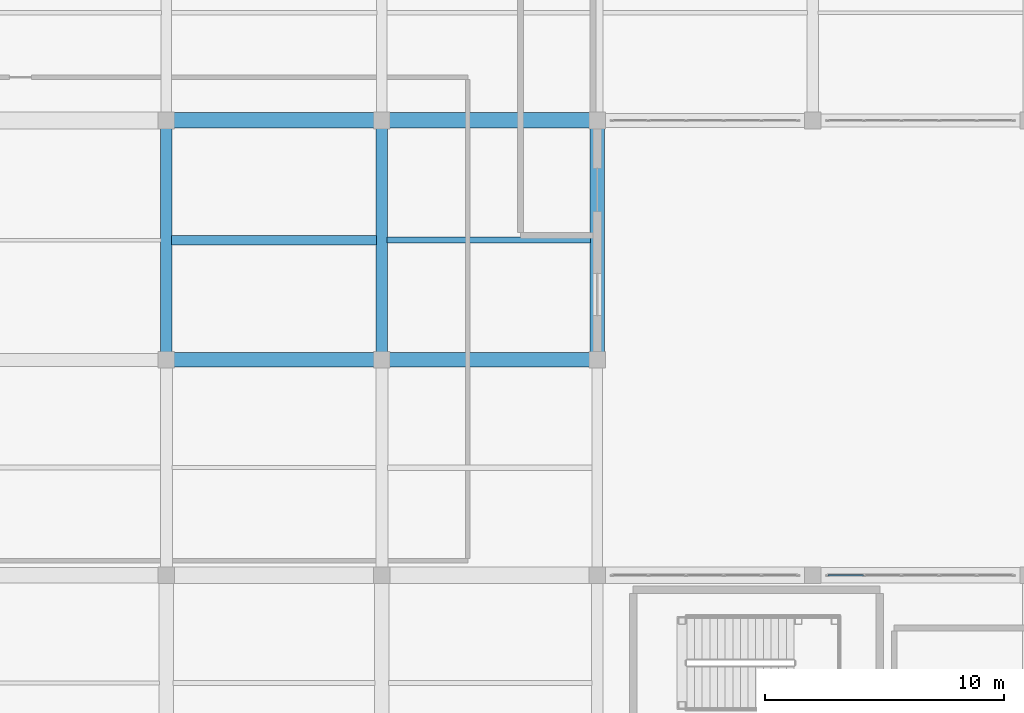
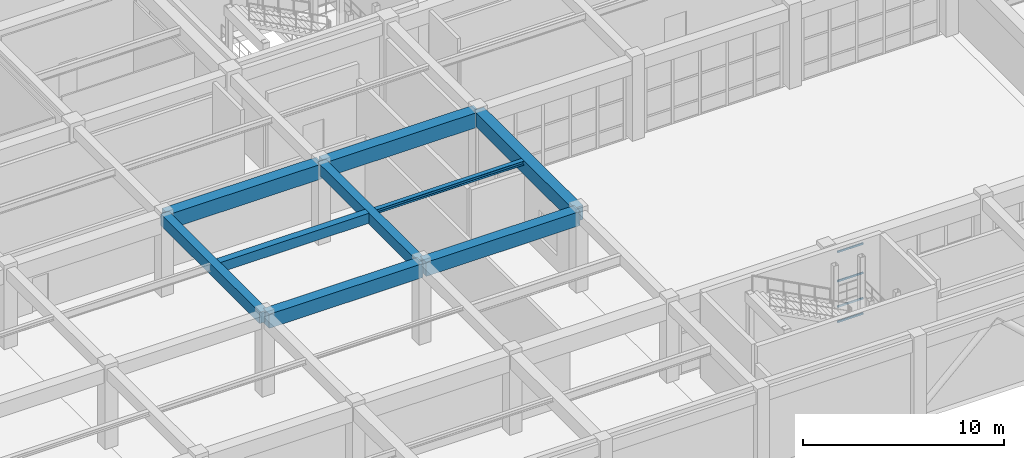
# One storey, part 44 of 128: 9 beams, 4 members, 1 element without a shape of its own.
"""IFC4 building model written with IfcOpenShell, lengths in metres."""

import ifcopenshell
import ifcopenshell.guid

model = None  # the IFC model being written
_history = None  # IfcOwnerHistory: only IFC2X3 demands one
_inside = {}  # id of a spatial element -> (the spatial element, [elements in it])
_under = {}  # id of a project, library or spatial element -> (it, [spatial elements below it])
_declared = {}  # id of a project -> (the project, [libraries it declares])
_typed = {}  # id of a type object -> (the type object, [elements of that type])
_made_of = {}  # id of a material, layer set ... -> (it, [elements and type objects made of it])


def new_model(schema):
    """Start an empty IFC model of exactly this schema.

    Asked for "IFC4X3", IfcOpenShell would pick the latest addendum, in which some entities
    have other attributes; the version numbers below select the first issue.
    IFC2X3 requires an IfcOwnerHistory on every rooted entity: one is made here for all.
    """
    global model, _history
    if schema == "IFC4X3":
        model = ifcopenshell.file(schema_version=(4, 3, 0, 0))
    else:
        model = ifcopenshell.file(schema=schema)
    _inside.clear()
    _under.clear()
    _declared.clear()
    _typed.clear()
    _made_of.clear()
    _history = None
    if model.schema == "IFC2X3":
        org = make("IfcOrganization", Name="unknown")
        user = make(
            "IfcPersonAndOrganization",
            ThePerson=make("IfcPerson", FamilyName="unknown"),
            TheOrganization=org,
        )
        app = make(
            "IfcApplication",
            ApplicationDeveloper=org,
            Version="unknown",
            ApplicationFullName="unknown",
            ApplicationIdentifier="unknown",
        )
        _history = make(
            "IfcOwnerHistory",
            OwningUser=user,
            OwningApplication=app,
            ChangeAction="ADDED",
            CreationDate=0,
        )
    return model


def make(cls, **values):
    """One entity of the class cls with the attributes given. An attribute that is None is left unset."""
    return model.create_entity(
        cls, **{name: value for name, value in values.items() if value is not None}
    )


def rooted(cls, **values):
    """An entity with a GlobalId (a new one), such as an element, a storey or a relation."""
    return make(cls, GlobalId=ifcopenshell.guid.new(), OwnerHistory=_history, **values)


def si_unit(unit_type, name, prefix=None):
    """IfcSIUnit, for example si_unit("LENGTHUNIT", "METRE", prefix="MILLI")."""
    return make("IfcSIUnit", UnitType=unit_type, Prefix=prefix, Name=name)


def assignment(units):
    """IfcUnitAssignment: the units of a project."""
    return None if units is None else make("IfcUnitAssignment", Units=units)


def point(xyz):
    """IfcCartesianPoint."""
    return None if xyz is None else make("IfcCartesianPoint", Coordinates=xyz)


def direction(xyz):
    """IfcDirection."""
    return None if xyz is None else make("IfcDirection", DirectionRatios=xyz)


def frame(location, z_axis=None, x_axis=None):
    """IfcAxis2Placement3D, a coordinate frame: its origin and axes. An axis left out is left unset."""
    return make(
        "IfcAxis2Placement3D",
        Location=point(location),
        Axis=direction(z_axis),
        RefDirection=direction(x_axis),
    )


def frame_2d(location, x_axis=None):
    """IfcAxis2Placement2D, a coordinate frame in the plane: its origin and x axis."""
    return make(
        "IfcAxis2Placement2D", Location=point(location), RefDirection=direction(x_axis)
    )


def origin():
    """The frame at (0, 0, 0) with its axes left unset."""
    return frame((0.0, 0.0, 0.0))


def origin_2d():
    """The frame at (0, 0) in the plane with its x axis left unset."""
    return frame_2d((0.0, 0.0))


def place(relative_to, where):
    """IfcLocalPlacement: puts the frame where relative to a parent placement (None: the world)."""
    return make(
        "IfcLocalPlacement", PlacementRelTo=relative_to, RelativePlacement=where
    )


def context(
    kind, dimensions, precision=None, world=None, true_north=None, identifier=None
):
    """IfcGeometricRepresentationContext, for example the 3D "Model" context."""
    return make(
        "IfcGeometricRepresentationContext",
        ContextIdentifier=identifier,
        ContextType=kind,
        CoordinateSpaceDimension=dimensions,
        Precision=precision,
        WorldCoordinateSystem=world,
        TrueNorth=true_north,
    )


def subcontext(parent, identifier, kind, view, scale=None):
    """IfcGeometricRepresentationSubContext, for example "Body" below "Model"."""
    return make(
        "IfcGeometricRepresentationSubContext",
        ContextIdentifier=identifier,
        ContextType=kind,
        ParentContext=parent,
        TargetScale=scale,
        TargetView=view,
    )


def project(units=None, contexts=None):
    """IfcProject with its units and contexts."""
    return rooted(
        "IfcProject",
        Name="project",
        RepresentationContexts=contexts,
        UnitsInContext=assignment(units),
    )


def spatial(cls, under=None, at=None, **own):
    """A site, building, storey or space (cls), placed at a placement, below another one or the project."""
    s = rooted(cls, ObjectPlacement=at, **own)
    if under is not None:
        _under.setdefault(under.id(), (under, []))[1].append(s)
    return s


def profile(cls, at=None, kind="AREA", **sizes):
    """A parametric profile (cls). Its sizes go by their IFC names, for example OverallWidth=200.0."""
    return make(cls, ProfileType=kind, Position=at, **sizes)


def rectangle(**sizes):
    """IfcRectangleProfileDef."""
    return profile("IfcRectangleProfileDef", **sizes)


def hollow_rectangle(**sizes):
    """IfcRectangleHollowProfileDef."""
    return profile("IfcRectangleHollowProfileDef", **sizes)


def i_section(**sizes):
    """IfcIShapeProfileDef."""
    return profile("IfcIShapeProfileDef", **sizes)


def extrude(swept, where, along, depth):
    """IfcExtrudedAreaSolid: the profile swept, set in the frame where, extruded along a direction by depth."""
    return make(
        "IfcExtrudedAreaSolid",
        SweptArea=swept,
        Position=where,
        ExtrudedDirection=direction(along),
        Depth=depth,
    )


def shape(context_of_items, identifier, shape_type, items):
    """IfcShapeRepresentation: the items that make up one representation, for example the "Body"."""
    return make(
        "IfcShapeRepresentation",
        ContextOfItems=context_of_items,
        RepresentationIdentifier=identifier,
        RepresentationType=shape_type,
        Items=items,
    )


def material(Name=None, Category=None):
    """IfcMaterial."""
    return make("IfcMaterial", Name=Name, Category=Category)


def material_profile(
    of_material, cross_section, Name=None, Category=None, Priority=None
):
    """IfcMaterialProfile: a cross section and its material."""
    return make(
        "IfcMaterialProfile",
        Name=Name,
        Material=of_material,
        Profile=cross_section,
        Priority=Priority,
        Category=Category,
    )


def profile_set(profiles, Name=None, composite=None):
    """IfcMaterialProfileSet."""
    return make(
        "IfcMaterialProfileSet",
        Name=Name,
        MaterialProfiles=profiles,
        CompositeProfile=composite,
    )


def made_of(thing, what):
    """Note that an element or type object is made of a material, layer set ...; save() writes the relation."""
    if what is not None:
        _made_of.setdefault(what.id(), (what, []))[1].append(thing)
    return thing


def type_object(cls, material=None, **own):
    """A type object (cls), such as IfcWallType, which elements share."""
    return made_of(rooted(cls, **own), material)


def element(
    cls,
    number,
    at=None,
    inside=None,
    cuts=None,
    type_object=None,
    material=None,
    context=None,
    identifier="Body",
    shape_type=None,
    held_by="IfcProductDefinitionShape",
    body=None,
    shapes=None,
    **own,
):
    """One element of the class cls, such as IfcWall. Its Tag is "e" and its number.

    at: its placement. inside: the storey or other place that contains it. cuts: it is an
    opening in that element (IfcRelVoidsElement). A single representation is given by context,
    identifier, shape_type and body (its items); several are given by shapes. held_by: the class
    of the entity that holds the representations. save() writes the other relations.
    """
    e = rooted(cls, Tag="e%d" % number, ObjectPlacement=at, **own)
    if body is not None:
        shapes = [shape(context, identifier, shape_type, body)]
    if shapes is not None:
        e.Representation = make(held_by, Representations=shapes)
    if inside is not None:
        _inside.setdefault(inside.id(), (inside, []))[1].append(e)
    if cuts is not None:
        rooted(
            "IfcRelVoidsElement", RelatingBuildingElement=cuts, RelatedOpeningElement=e
        )
    if type_object is not None:
        _typed.setdefault(type_object.id(), (type_object, []))[1].append(e)
    return made_of(e, material)


def aggregate(whole, parts):
    """IfcRelAggregates: a whole, such as a stair, and the parts it consists of."""
    return rooted("IfcRelAggregates", RelatingObject=whole, RelatedObjects=parts)


def save(model, path):
    """Write the relations noted so far, then the file.

    IfcRelAggregates (storeys below a building ...), IfcRelContainedInSpatialStructure (elements
    in a storey), IfcRelDefinesByType, IfcRelAssociatesMaterial and IfcRelDeclares: one each for
    every whole, place, type object, material and project.
    """
    for whole, parts in _under.values():
        aggregate(whole, parts)
    for where, things in _inside.values():
        rooted(
            "IfcRelContainedInSpatialStructure",
            RelatedElements=things,
            RelatingStructure=where,
        )
    for kind, things in _typed.values():
        rooted("IfcRelDefinesByType", RelatedObjects=things, RelatingType=kind)
    for what, things in _made_of.values():
        rooted("IfcRelAssociatesMaterial", RelatedObjects=things, RelatingMaterial=what)
    for by, libraries in _declared.values():
        rooted("IfcRelDeclares", RelatingContext=by, RelatedDefinitions=libraries)
    model.write(path)


model = new_model("IFC4")

# Units and contexts
model_context = context("Model", 3, precision=1e-05, world=origin(), true_north=direction((0.0, 1.0)))
body_context = subcontext(model_context, "Body", "Model", "MODEL_VIEW")
ifc_project = project(units=[si_unit("LENGTHUNIT", "METRE"), si_unit("AREAUNIT", "SQUARE_METRE"), si_unit("VOLUMEUNIT", "CUBIC_METRE"), si_unit("PLANEANGLEUNIT", "RADIAN"), si_unit("MASSUNIT", "GRAM", prefix="KILO")], contexts=[model_context])

# Site, building, storey
site_placement = place(None, origin())
site = spatial("IfcSite", under=ifc_project, at=site_placement, CompositionType="ELEMENT")
building_placement = place(site_placement, origin())
building = spatial("IfcBuilding", under=site, at=building_placement, Name="Miravela Opera House", CompositionType="ELEMENT")
storey_placement = place(building_placement, origin())
storey = spatial("IfcBuildingStorey", under=building, at=storey_placement, Name="L00", CompositionType="ELEMENT", Elevation=0.0)

# Curtain wall, members
ifc_material_1 = material(Name="Anodised architectural bronze aluminium 6063-T6", Category="aluminium")
curtain_wall_type = type_object("IfcCurtainWallType", Name="ARC-CW-06", PredefinedType="NOTDEFINED", material=ifc_material_1)
curtain_wall_placement = place(storey_placement, origin())
curtain_wall = element("IfcCurtainWall", 1, at=curtain_wall_placement, inside=storey, type_object=curtain_wall_type, Name="Courtyard Arcade Curtain Wall CW-L00-163", PredefinedType="NOTDEFINED")
ifc_material_profile_1 = material_profile(ifc_material_1, hollow_rectangle(XDim=0.06005859375, YDim=0.114990234375, WallThickness=0.00390625, InnerFilletRadius=0.001953125, OuterFilletRadius=0.00390625, at=origin_2d()), Name="CWT-60X115")
ifc_profile_set_1 = profile_set([ifc_material_profile_1])
member_type = type_object("IfcMemberType", Name="ARC-CWT-115", PredefinedType="USERDEFINED", material=ifc_profile_set_1)
member_1_placement = place(storey_placement, frame((126.639892578125, 9.0, 0.030029296875), z_axis=(1.0, 0.0, 0.0), x_axis=(0.0, 1.0, 0.0)))
member_1 = element("IfcMember", 2, at=member_1_placement, type_object=member_type, Name="CW-06 transom 1.1", ObjectType="TRANSOM", PredefinedType="USERDEFINED", context=body_context, shape_type="SweptSolid", body=[
    extrude(hollow_rectangle(XDim=0.06005859375, YDim=0.114990234375, WallThickness=0.00390625, InnerFilletRadius=0.001953125, OuterFilletRadius=0.00390625, at=origin_2d()), origin(), (0.0, 0.0, 1.0), 1.47802734375),
])
member_2_placement = place(storey_placement, frame((126.639892578125, 9.0, 0.949951171875), z_axis=(1.0, 0.0, 0.0), x_axis=(0.0, 1.0, 0.0)))
member_2 = element("IfcMember", 3, at=member_2_placement, type_object=member_type, Name="CW-06 transom 1.2", ObjectType="TRANSOM", PredefinedType="USERDEFINED", context=body_context, shape_type="SweptSolid", body=[
    extrude(hollow_rectangle(XDim=0.06005859375, YDim=0.114990234375, WallThickness=0.00390625, InnerFilletRadius=0.001953125, OuterFilletRadius=0.00390625, at=origin_2d()), origin(), (0.0, 0.0, 1.0), 1.47802734375),
])
member_3_placement = place(storey_placement, frame((126.639892578125, 9.0, 2.493896484375), z_axis=(1.0, 0.0, 0.0), x_axis=(0.0, 1.0, 0.0)))
member_3 = element("IfcMember", 4, at=member_3_placement, type_object=member_type, Name="CW-06 transom 1.3", ObjectType="TRANSOM", PredefinedType="USERDEFINED", context=body_context, shape_type="SweptSolid", body=[
    extrude(hollow_rectangle(XDim=0.06005859375, YDim=0.114990234375, WallThickness=0.00390625, InnerFilletRadius=0.001953125, OuterFilletRadius=0.00390625, at=origin_2d()), origin(), (0.0, 0.0, 1.0), 1.47802734375),
])
member_4_placement = place(storey_placement, frame((126.639892578125, 9.0, 4.27001953125), z_axis=(1.0, 0.0, 0.0), x_axis=(0.0, 1.0, 0.0)))
member_4 = element("IfcMember", 5, at=member_4_placement, type_object=member_type, Name="CW-06 transom 1.4", ObjectType="TRANSOM", PredefinedType="USERDEFINED", context=body_context, shape_type="SweptSolid", body=[
    extrude(hollow_rectangle(XDim=0.06005859375, YDim=0.114990234375, WallThickness=0.00390625, InnerFilletRadius=0.001953125, OuterFilletRadius=0.00390625, at=origin_2d()), origin(), (0.0, 0.0, 1.0), 1.47802734375),
])
aggregate(curtain_wall, [member_1, member_2, member_3, member_4])

# Beams
ifc_material_2 = material(Name="Concrete C35/45", Category="concrete")
ifc_material_profile_2 = material_profile(ifc_material_2, rectangle(XDim=0.39990234375, YDim=0.60009765625, at=origin_2d()), Name="RC-BM-400X600")
ifc_profile_set_2 = profile_set([ifc_material_profile_2])
beam_type_1 = type_object("IfcBeamType", Name="STR-BM-RC400X600", PredefinedType="JOIST", material=ifc_profile_set_2)
beam_1_placement = place(storey_placement, frame((99.22509765625, 23.0, 4.550048828125), z_axis=(1.0, 0.0, 0.0), x_axis=(0.0, 1.0, 0.0)))
element("IfcBeam", 6, at=beam_1_placement, inside=storey, type_object=beam_type_1, Name="Secondary Floor Joist L00 12-13/C-D", PredefinedType="JOIST", context=body_context, shape_type="SweptSolid", body=[
    extrude(rectangle(XDim=0.39990234375, YDim=0.60009765625, at=origin_2d()), origin(), (0.0, 0.0, 1.0), 8.5498046875),
])
ifc_material_profile_3 = material_profile(ifc_material_2, rectangle(XDim=0.47998046875, YDim=0.679931640625, at=origin_2d()), Name="RC-BM-480X680")
ifc_profile_set_3 = profile_set([ifc_material_profile_3])
beam_type_2 = type_object("IfcBeamType", Name="STR-BM-RC480X680", PredefinedType="BEAM", material=ifc_profile_set_3)
for number, where, z_axis, x_axis, name in (
    (7, (99.0, 18.080078125, 4.510009765625), (0.0, 1.0, 0.0), (-1.0, 0.0, 0.0), "Floor Girder L00 12/C-D"),
    (8, (108.0, 18.080078125, 4.510009765625), (0.0, 1.0, 0.0), (-1.0, 0.0, 0.0), "Floor Girder L00 13/C-D"),
):
    element("IfcBeam", number, at=place(storey_placement, frame(where, z_axis=z_axis, x_axis=x_axis)), inside=storey, type_object=beam_type_2, Name=name, PredefinedType="BEAM", context=body_context, shape_type="SweptSolid", body=[
        extrude(rectangle(XDim=0.47998046875, YDim=0.679931640625, at=origin_2d()), origin(), (0.0, 0.0, 1.0), 9.83984375),
    ])
ifc_material_3 = material(Name="Concrete C40/50", Category="concrete")
ifc_material_profile_4 = material_profile(ifc_material_3, rectangle(XDim=0.60009765625, YDim=0.85009765625, at=origin_2d()), Name="RC-BM-600X850")
ifc_profile_set_4 = profile_set([ifc_material_profile_4])
beam_type_3 = type_object("IfcBeamType", Name="STR-BM-RC600X850", PredefinedType="BEAM", material=ifc_profile_set_4)
for number, where, z_axis, x_axis, name in (
    (9, (99.080078125, 18.0, 4.425048828125), (1.0, 0.0, 0.0), (0.0, 1.0, 0.0), "Floor Girder L00 12-13/C"),
    (10, (108.080078125, 18.0, 4.425048828125), (1.0, 0.0, 0.0), (0.0, 1.0, 0.0), "Floor Girder L00 13-14/C"),
):
    element("IfcBeam", number, at=place(storey_placement, frame(where, z_axis=z_axis, x_axis=x_axis)), inside=storey, type_object=beam_type_3, Name=name, PredefinedType="BEAM", context=body_context, shape_type="SweptSolid", body=[
        extrude(rectangle(XDim=0.60009765625, YDim=0.85009765625, at=origin_2d()), origin(), (0.0, 0.0, 1.0), 8.83984375),
    ])
beam_2_placement = place(storey_placement, frame((117.0, 18.080078125, 4.425048828125), z_axis=(0.0, 1.0, 0.0), x_axis=(-1.0, 0.0, 0.0)))
element("IfcBeam", 11, at=beam_2_placement, inside=storey, type_object=beam_type_3, Name="Floor Girder L00 14/C-D", PredefinedType="BEAM", context=body_context, shape_type="SweptSolid", body=[
    extrude(rectangle(XDim=0.60009765625, YDim=0.85009765625, at=origin_2d()), origin(), (0.0, 0.0, 1.0), 9.83984375),
])
ifc_material_profile_5 = material_profile(ifc_material_3, rectangle(XDim=0.64990234375, YDim=0.89990234375, at=origin_2d()), Name="RC-BM-650X900")
ifc_profile_set_5 = profile_set([ifc_material_profile_5])
beam_type_4 = type_object("IfcBeamType", Name="STR-BM-RC650X900", PredefinedType="BEAM", material=ifc_profile_set_5)
for number, where, z_axis, x_axis, name in (
    (12, (99.080078125, 28.0, 4.39990234375), (1.0, 0.0, 0.0), (0.0, 1.0, 0.0), "Floor Girder L00 12-13/D"),
    (13, (108.080078125, 28.0, 4.39990234375), (1.0, 0.0, 0.0), (0.0, 1.0, 0.0), "Floor Girder L00 13-14/D"),
):
    element("IfcBeam", number, at=place(storey_placement, frame(where, z_axis=z_axis, x_axis=x_axis)), inside=storey, type_object=beam_type_4, Name=name, PredefinedType="BEAM", context=body_context, shape_type="SweptSolid", body=[
        extrude(rectangle(XDim=0.64990234375, YDim=0.89990234375, at=origin_2d()), origin(), (0.0, 0.0, 1.0), 8.83984375),
    ])
ifc_material_4 = material(Name="Structural steel ASTM A992 Gr. 50", Category="steel")
ifc_material_profile_6 = material_profile(ifc_material_4, i_section(OverallWidth=0.25390625, OverallDepth=0.2529296875, WebThickness=0.008544921875, FlangeThickness=0.01416015625, FilletRadius=0.011962890625, at=origin_2d()), Name="W250X73")
ifc_profile_set_6 = profile_set([ifc_material_profile_6])
beam_type_5 = type_object("IfcBeamType", Name="STR-BM-W250X73", PredefinedType="JOIST", material=ifc_profile_set_6)
beam_3_placement = place(storey_placement, frame((108.22509765625, 23.0, 4.723388671875), z_axis=(1.0, 0.0, 0.0), x_axis=(0.0, 1.0, 0.0)))
element("IfcBeam", 14, at=beam_3_placement, inside=storey, type_object=beam_type_5, Name="Secondary Floor Joist L00 13-14/C-D", PredefinedType="JOIST", context=body_context, shape_type="SweptSolid", body=[
    extrude(i_section(OverallWidth=0.25390625, OverallDepth=0.2529296875, WebThickness=0.008544921875, FlangeThickness=0.01416015625, FilletRadius=0.011962890625, at=origin_2d()), origin(), (0.0, 0.0, 1.0), 8.489990234375),
])

save(model, "model.ifc")
